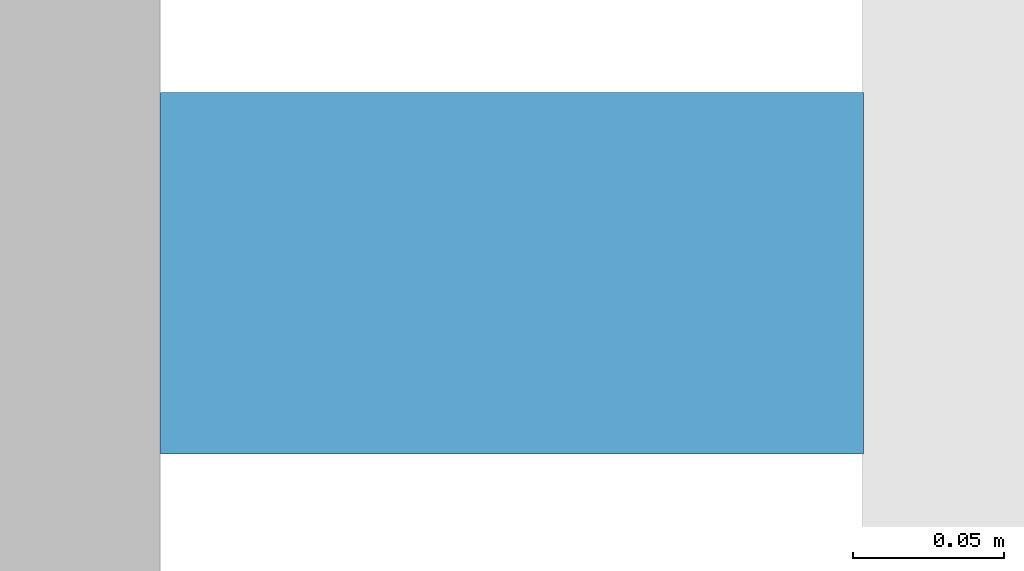
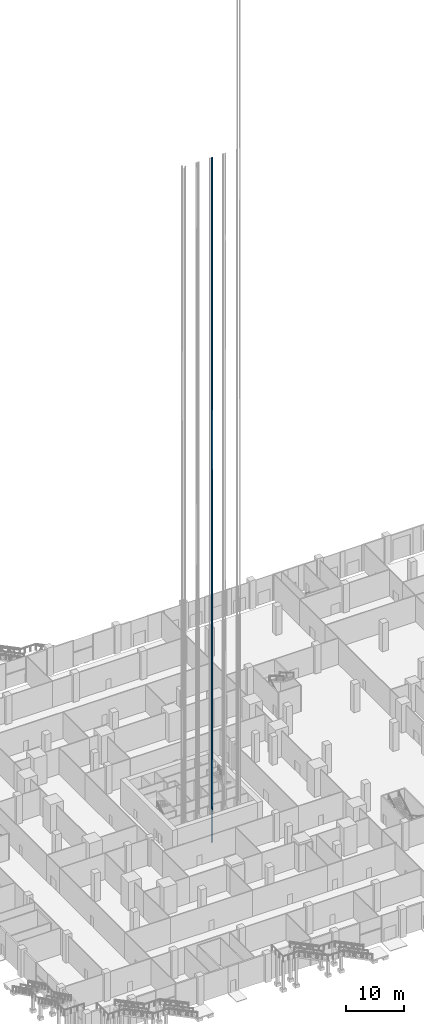
# One storey, part 46 of 68: 1 discrete accessory.
"""IFC4 building model written with IfcOpenShell, lengths in metres."""

from ifc_helpers import new_model, si_unit, direction, frame, origin, origin_2d, place, context, subcontext, project, spatial, rectangle, extrude, element, save


model = new_model("IFC4")

# Units and contexts
model_context = context("Model", 3, precision=1e-05, world=origin(), true_north=direction((0.0, 1.0)))
body_context = subcontext(model_context, "Body", "Model", "MODEL_VIEW")
ifc_project = project(units=[si_unit("LENGTHUNIT", "METRE"), si_unit("AREAUNIT", "SQUARE_METRE"), si_unit("VOLUMEUNIT", "CUBIC_METRE"), si_unit("PLANEANGLEUNIT", "RADIAN"), si_unit("MASSUNIT", "GRAM", prefix="KILO")], contexts=[model_context])

# Site, building, storey
site_placement = place(None, origin())
site = spatial("IfcSite", under=ifc_project, at=site_placement, CompositionType="ELEMENT")
building_placement = place(site_placement, origin())
building = spatial("IfcBuilding", under=site, at=building_placement, Name="Altepetl Exchange Towers", CompositionType="ELEMENT")
storey_placement = place(building_placement, origin())
storey = spatial("IfcBuildingStorey", under=building, at=storey_placement, Name="L00 Ground concourse", CompositionType="ELEMENT", Elevation=0.0)

# Discrete accessory
discrete_accessory_placement = place(storey_placement, frame((49.716796875, 42.800048828125, -1.60009765625)))
element("IfcDiscreteAccessory", 1, at=discrete_accessory_placement, inside=storey, Name="Guide rail P4", ObjectType="GUIDE RAIL", PredefinedType="USERDEFINED", context=body_context, shape_type="SweptSolid", body=[
    extrude(rectangle(XDim=0.2333984375, YDim=0.1201171875, at=origin_2d()), origin(), (0.0, 0.0, 1.0), 144.85009765625),
])

save(model, "model.ifc")
